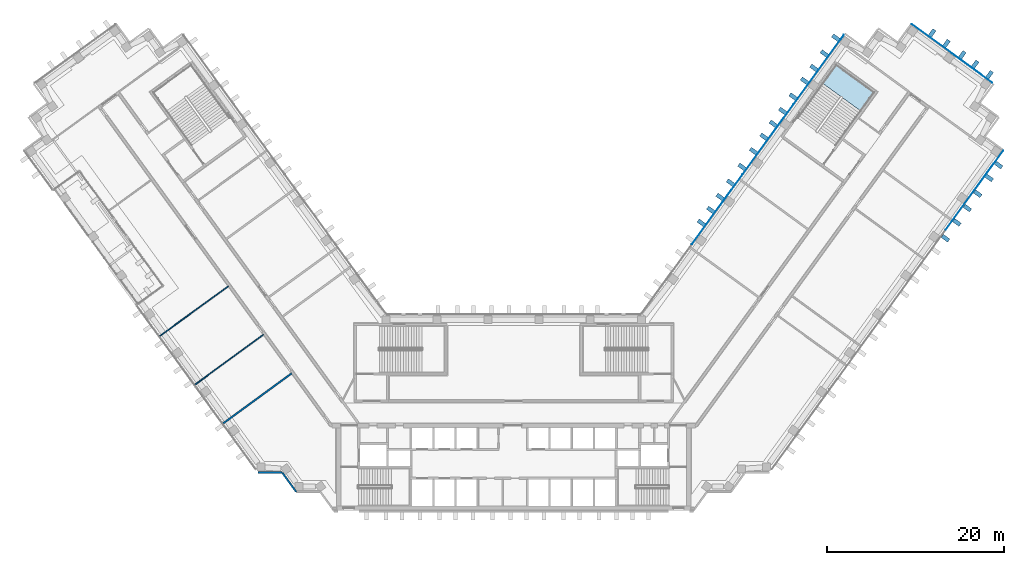
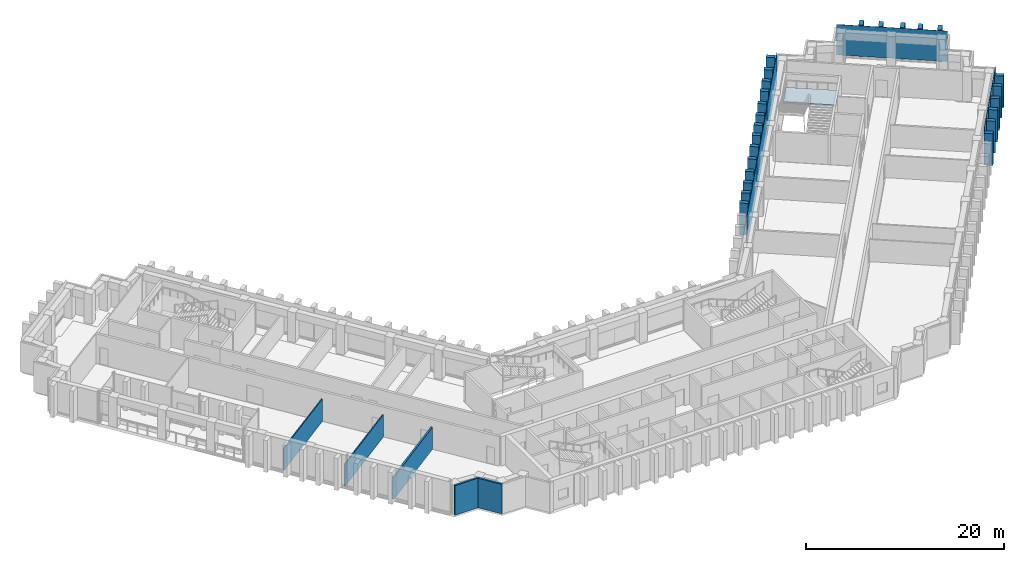
"""IFC4 building model written with IfcOpenShell, lengths in metres."""

from ifc_helpers import new_model, si_unit, direction, frame, frame_2d, origin, origin_2d, place, context, subcontext, project, spatial, polyline, rectangle, outline, extrude, material, layer, layer_set, type_object, element, aggregate, save


model = new_model("IFC4")

# Units and contexts
model_context = context("Model", 3, precision=1e-05, world=origin(), true_north=direction((0.0, 1.0)))
body_context = subcontext(model_context, "Body", "Model", "MODEL_VIEW")
ifc_project = project(units=[si_unit("LENGTHUNIT", "METRE"), si_unit("AREAUNIT", "SQUARE_METRE"), si_unit("VOLUMEUNIT", "CUBIC_METRE"), si_unit("PLANEANGLEUNIT", "RADIAN"), si_unit("MASSUNIT", "GRAM", prefix="KILO")], contexts=[model_context])

# Site, building, storey
site_placement = place(None, origin())
site = spatial("IfcSite", under=ifc_project, at=site_placement, CompositionType="ELEMENT")
building_placement = place(site_placement, origin())
building = spatial("IfcBuilding", under=site, at=building_placement, Name="Quipu Civic Tower", CompositionType="ELEMENT")
storey_1_placement = place(building_placement, frame((0.0, 0.0, 47.0)))
storey_1 = spatial("IfcBuildingStorey", under=building, at=storey_1_placement, Name="L10", CompositionType="ELEMENT", Elevation=47.0)

# Curtain wall
ifc_material_1 = material(Name="Insulated glass unit", Category="glass")
curtain_wall_type = type_object("IfcCurtainWallType", Name="Office curtain wall CW1", PredefinedType="NOTDEFINED", material=ifc_material_1)
curtain_wall_1_placement = place(storey_1_placement, origin())
curtain_wall_1 = element("IfcCurtainWall", 1, at=curtain_wall_1_placement, inside=storey_1, type_object=curtain_wall_type, Name="Office curtain wall CW1 L09 run 19", PredefinedType="NOTDEFINED")

# Storey
storey_2_placement = place(building_placement, frame((0.0, 0.0, 43.0)))
storey_2 = spatial("IfcBuildingStorey", under=building, at=storey_2_placement, Name="L09", CompositionType="ELEMENT", Elevation=43.0)

# Plate
ifc_material_2 = material(Name="Insulated glass unit", Category="glass")
ifc_layer_1 = layer(ifc_material_2, 0.028076171875)
ifc_layer_set_1 = layer_set([ifc_layer_1], Name="Insulated glass unit")
plate_type_1 = type_object("IfcPlateType", Name="Glass panel CW1", PredefinedType="CURTAIN_PANEL", material=ifc_layer_set_1)
plate_1_placement = place(storey_2_placement, frame((51.967529296875, 25.114990234375, 0.240234375), z_axis=(0.0, 0.0, 1.0), x_axis=(0.587785559869, 0.809016770908, 0.0)))
plate_1 = element("IfcPlate", 2, at=plate_1_placement, inside=storey_2, type_object=plate_type_1, Name="CW1 panel 4.1", PredefinedType="CURTAIN_PANEL", context=body_context, shape_type="SweptSolid", body=[
    extrude(rectangle(XDim=11.022705078125, YDim=0.028076171875, at=origin_2d()), origin(), (0.0, 0.0, 1.0), 3.760009765625),
])

aggregate(curtain_wall_1, [plate_1])

# Curtain wall, plate
curtain_wall_2_placement = place(storey_1_placement, origin())
curtain_wall_2 = element("IfcCurtainWall", 3, at=curtain_wall_2_placement, inside=storey_1, type_object=curtain_wall_type, Name="Office curtain wall CW1 L09 run 24", PredefinedType="NOTDEFINED")
plate_2_placement = place(storey_2_placement, frame((49.447998046875, 40.53173828125, 0.240234375), z_axis=(0.0, 0.0, 1.0), x_axis=(-0.809019348124, 0.587782012621, 0.0)))
plate_2 = element("IfcPlate", 4, at=plate_2_placement, inside=storey_2, type_object=plate_type_1, Name="CW1 panel 1.1", PredefinedType="CURTAIN_PANEL", context=body_context, shape_type="SweptSolid", body=[
    extrude(rectangle(XDim=11.239990234375, YDim=0.028076171875, at=origin_2d()), origin(), (0.0, 0.0, 1.0), 3.760009765625),
])
aggregate(curtain_wall_2, [plate_2])

# Curtain wall, plates
curtain_wall_3_placement = place(storey_1_placement, origin())
curtain_wall_3 = element("IfcCurtainWall", 5, at=curtain_wall_3_placement, inside=storey_1, type_object=curtain_wall_type, Name="Office curtain wall CW1 L09 run 29", PredefinedType="NOTDEFINED")
plate_3_placement = place(storey_2_placement, frame((34.413330078125, 38.722900390625, 0.240234375), z_axis=(0.0, 0.0, 1.0), x_axis=(-0.587785887566, -0.809016532822, 0.0)))
plate_3 = element("IfcPlate", 6, at=plate_3_placement, inside=storey_2, type_object=plate_type_1, Name="CW1 panel 1.1", PredefinedType="CURTAIN_PANEL", context=body_context, shape_type="SweptSolid", body=[
    extrude(rectangle(XDim=9.64111328125, YDim=0.028076171875, at=origin_2d()), origin(), (0.0, 0.0, 1.0), 3.760009765625),
])
plate_4_placement = place(storey_2_placement, frame((28.687744140625, 30.84228515625, 0.240234375), z_axis=(0.0, 0.0, 1.0), x_axis=(-0.587785887566, -0.809016532822, 0.0)))
plate_4 = element("IfcPlate", 7, at=plate_4_placement, inside=storey_2, type_object=plate_type_1, Name="CW1 panel 2.1", PredefinedType="CURTAIN_PANEL", context=body_context, shape_type="SweptSolid", body=[
    extrude(rectangle(XDim=9.68115234375, YDim=0.028076171875, at=origin_2d()), origin(), (0.0, 0.0, 1.0), 3.760009765625),
])
plate_5_placement = place(storey_2_placement, frame((22.950439453125, 22.9453125, 0.240234375), z_axis=(0.0, 0.0, 1.0), x_axis=(-0.587785887566, -0.809016532822, 0.0)))
plate_5 = element("IfcPlate", 8, at=plate_5_placement, inside=storey_2, type_object=plate_type_1, Name="CW1 panel 3.1", PredefinedType="CURTAIN_PANEL", context=body_context, shape_type="SweptSolid", body=[
    extrude(rectangle(XDim=9.68115234375, YDim=0.028076171875, at=origin_2d()), origin(), (0.0, 0.0, 1.0), 3.760009765625),
])
aggregate(curtain_wall_3, [plate_3, plate_4, plate_5])

# Plates
ifc_material_3 = material(Name="Precast concrete C40/50", Category="concrete")
plate_type_2 = type_object("IfcPlateType", Name="Precast fin F1", PredefinedType="SHEET", material=ifc_material_3)
for number, where, z_axis, x_axis, name in (
    (9, (48.70654296875, 19.69091796875, 0.080078125), (0.0, 0.0, 1.0), (0.587785716149, 0.809016657363, 0.0), "Precast fin F1 L09.19.17"),
    (10, (49.999755859375, 21.470703125, 0.080078125), (0.0, 0.0, 1.0), (0.587785716149, 0.809016657363, 0.0), "Precast fin F1 L09.19.18"),
    (11, (51.17529296875, 23.0888671875, 0.080078125), (0.0, 0.0, 1.0), (0.587785716149, 0.809016657363, 0.0), "Precast fin F1 L09.19.19"),
    (12, (52.350830078125, 24.706787109375, 0.080078125), (0.0, 0.0, 1.0), (0.587785716149, 0.809016657363, 0.0), "Precast fin F1 L09.19.20"),
    (13, (53.643798828125, 26.48681640625, 0.080078125), (0.0, 0.0, 1.0), (0.587785716149, 0.809016657363, 0.0), "Precast fin F1 L09.19.21"),
    (14, (54.701904296875, 27.94287109375, 0.080078125), (0.0, 0.0, 1.0), (0.587785716149, 0.809016657363, 0.0), "Precast fin F1 L09.19.22"),
    (15, (53.6748046875, 38.140625, 0.080078125), (0.0, 0.0, 1.0), (-0.809021318545, 0.587779300537, 0.0), "Precast fin F1 L09.24.1"),
    (16, (52.056884765625, 39.316162109375, 0.080078125), (0.0, 0.0, 1.0), (-0.809021318545, 0.587779300537, 0.0), "Precast fin F1 L09.24.2"),
    (17, (50.6005859375, 40.374267578125, 0.080078125), (0.0, 0.0, 1.0), (-0.809021318545, 0.587779300537, 0.0), "Precast fin F1 L09.24.3"),
    (18, (48.82080078125, 41.66748046875, 0.080078125), (0.0, 0.0, 1.0), (-0.809021318545, 0.587779300537, 0.0), "Precast fin F1 L09.24.4"),
    (19, (47.20263671875, 42.843017578125, 0.080078125), (0.0, 0.0, 1.0), (-0.809021318545, 0.587779300537, 0.0), "Precast fin F1 L09.24.5"),
    (20, (36.334716796875, 42.302978515625, 0.080078125), (0.0, 0.0, 1.0), (-0.587784944053, -0.809017218324, 0.0), "Precast fin F1 L09.29.1"),
    (21, (35.04150390625, 40.52294921875, 0.080078125), (0.0, 0.0, 1.0), (-0.587784944053, -0.809017218324, 0.0), "Precast fin F1 L09.29.2"),
    (22, (33.865966796875, 38.905029296875, 0.080078125), (0.0, 0.0, 1.0), (-0.587784944053, -0.809017218324, 0.0), "Precast fin F1 L09.29.3"),
    (23, (32.807861328125, 37.44873046875, 0.080078125), (0.0, 0.0, 1.0), (-0.587784944053, -0.809017218324, 0.0), "Precast fin F1 L09.29.4"),
    (24, (31.5146484375, 35.6689453125, 0.080078125), (0.0, 0.0, 1.0), (-0.587784944053, -0.809017218324, 0.0), "Precast fin F1 L09.29.5"),
    (25, (30.339111328125, 34.05078125, 0.080078125), (0.0, 0.0, 1.0), (-0.587784944053, -0.809017218324, 0.0), "Precast fin F1 L09.29.6"),
    (26, (29.28125, 32.5947265625, 0.080078125), (0.0, 0.0, 1.0), (-0.587784944053, -0.809017218324, 0.0), "Precast fin F1 L09.29.7"),
    (27, (28.22314453125, 31.138427734375, 0.080078125), (0.0, 0.0, 1.0), (-0.587784944053, -0.809017218324, 0.0), "Precast fin F1 L09.29.8"),
    (28, (27.047607421875, 29.5205078125, 0.080078125), (0.0, 0.0, 1.0), (-0.587784944053, -0.809017218324, 0.0), "Precast fin F1 L09.29.9"),
    (29, (25.75439453125, 27.740478515625, 0.080078125), (0.0, 0.0, 1.0), (-0.587784944053, -0.809017218324, 0.0), "Precast fin F1 L09.29.10"),
    (30, (24.46142578125, 25.960693359375, 0.080078125), (0.0, 0.0, 1.0), (-0.587784944053, -0.809017218324, 0.0), "Precast fin F1 L09.29.11"),
    (31, (23.285888671875, 24.3427734375, 0.080078125), (0.0, 0.0, 1.0), (-0.587784944053, -0.809017218324, 0.0), "Precast fin F1 L09.29.12"),
    (32, (22.227783203125, 22.886474609375, 0.080078125), (0.0, 0.0, 1.0), (-0.587784944053, -0.809017218324, 0.0), "Precast fin F1 L09.29.13"),
    (33, (21.169677734375, 21.43017578125, 0.080078125), (0.0, 0.0, 1.0), (-0.587784944053, -0.809017218324, 0.0), "Precast fin F1 L09.29.14"),
):
    element("IfcPlate", number, at=place(storey_2_placement, frame(where, z_axis=z_axis, x_axis=x_axis)), inside=storey_2, type_object=plate_type_2, Name=name, PredefinedType="SHEET", context=body_context, shape_type="SweptSolid", body=[
        extrude(rectangle(XDim=0.449951171875, YDim=0.89990234375, at=origin_2d()), origin(), (0.0, 0.0, 1.0), 3.919921875),
    ])

# Stair, slab
ifc_material_4 = material(Name="Concrete C40/50", Category="concrete")
stair_type = type_object("IfcStairType", Name="Half turn stair 2600", PredefinedType="HALF_TURN_STAIR", material=ifc_material_4)
stair_placement = place(storey_2_placement, origin())
stair = element("IfcStair", 34, at=stair_placement, inside=storey_2, type_object=stair_type, Name="Exit stair 7", PredefinedType="HALF_TURN_STAIR")
ifc_material_5 = material(Name="Concrete C40/50", Category="concrete")
ifc_layer_2 = layer(ifc_material_5, 0.199951171875)
ifc_layer_set_2 = layer_set([ifc_layer_2], Name="Concrete C40/50")
slab_type = type_object("IfcSlabType", Name="Stair landing 200", PredefinedType="LANDING", material=ifc_layer_set_2)
slab_placement = place(storey_2_placement, frame((0.0, 0.0, 1.800048828125)))
slab = element("IfcSlab", 35, at=slab_placement, type_object=slab_type, Name="ST-7 landing 1", PredefinedType="LANDING", context=body_context, shape_type="SweptSolid", body=[
    extrude(outline(polyline([(39.16552734375, 34.034912109375), (40.69384765625, 36.138427734375), (36.365478515625, 39.282958984375), (34.837158203125, 37.179443359375), (39.16552734375, 34.034912109375)])), origin(), (0.0, 0.0, 1.0), 0.199951171875),
])
aggregate(stair, [slab])

# Walls
ifc_material_6 = material(Name="Fired clay blockwork", Category="masonry")
ifc_layer_3 = layer(ifc_material_6, 0.199951171875)
ifc_layer_set_3 = layer_set([ifc_layer_3], Name="Fired clay blockwork")
wall_type_1 = type_object("IfcWallType", Name="Blockwork wall 200", PredefinedType="SOLIDWALL", material=ifc_layer_set_3)
wall_1_placement = place(storey_2_placement, frame((-32.826171875, -1.232421875, 0.0), z_axis=(0.0, 0.0, 1.0), x_axis=(0.807602415854, 0.589727342004, 0.0)))
element("IfcWall", 36, at=wall_1_placement, inside=storey_2, type_object=wall_type_1, Name="Partition P16", PredefinedType="SOLIDWALL", context=body_context, shape_type="SweptSolid", body=[
    extrude(rectangle(XDim=9.6513671875, YDim=0.199951171875, at=frame_2d((4.82568359375, 0.0))), origin(), (0.0, 0.0, 1.0), 2.75),
])
ifc_material_7 = material(Name="Gypsum plasterboard on light gauge framing")
ifc_layer_4 = layer(ifc_material_7, 0.1201171875)
ifc_layer_set_4 = layer_set([ifc_layer_4], Name="Gypsum plasterboard on light gauge framing")
wall_type_2 = type_object("IfcWallType", Name="Partition 120 plasterboard", PredefinedType="PARTITIONING", material=ifc_layer_set_4)
wall_2_placement = place(storey_2_placement, frame((-39.89990234375, 8.675537109375, 0.0), z_axis=(0.0, 0.0, 1.0), x_axis=(0.809055468448, 0.587732293628, 0.0)))
element("IfcWall", 37, at=wall_2_placement, inside=storey_2, type_object=wall_type_2, Name="Partition P04", PredefinedType="PARTITIONING", context=body_context, shape_type="SweptSolid", body=[
    extrude(rectangle(XDim=9.549560546875, YDim=0.1201171875, at=frame_2d((4.77490234375, 0.0))), origin(), (0.0, 0.0, 1.0), 2.75),
])
wall_3_placement = place(storey_2_placement, frame((-35.919189453125, 3.196533203125, 0.0), z_axis=(0.0, 0.0, 1.0), x_axis=(0.807645841498, 0.589667868135, 0.0)))
element("IfcWall", 38, at=wall_3_placement, inside=storey_2, type_object=wall_type_2, Name="Partition P10", PredefinedType="PARTITIONING", context=body_context, shape_type="SweptSolid", body=[
    extrude(rectangle(XDim=9.550537109375, YDim=0.1201171875, at=frame_2d((4.775390625, 0.0))), origin(), (0.0, 0.0, 1.0), 2.75),
])
ifc_material_8 = material(Name="Precast concrete C40/50", Category="concrete")
wall_type_3 = type_object("IfcWallType", Name="Precast cladding wall", PredefinedType="SOLIDWALL", material=ifc_material_8)
wall_4_placement = place(storey_2_placement, frame((-28.829833984375, -6.71923828125, 0.0), z_axis=(0.0, 0.0, 1.0), x_axis=(1.0, 0.0, 0.0)))
element("IfcWall", 39, at=wall_4_placement, inside=storey_2, type_object=wall_type_3, Name="Precast cladding wall L09 8", PredefinedType="SOLIDWALL", context=body_context, shape_type="SweptSolid", body=[
    extrude(rectangle(XDim=2.699951171875, YDim=0.199951171875, at=frame_2d((1.35009765625, 0.0))), origin(), (0.0, 0.0, 1.0), 3.64990234375),
])
wall_5_placement = place(storey_2_placement, frame((-26.1201171875, -6.72412109375, 0.0), z_axis=(0.0, 0.0, 1.0), x_axis=(0.587720002413, -0.809064397168, 0.0)))
element("IfcWall", 40, at=wall_5_placement, inside=storey_2, type_object=wall_type_3, Name="Precast cladding wall L09 9", PredefinedType="SOLIDWALL", context=body_context, shape_type="SweptSolid", body=[
    extrude(rectangle(XDim=2.7001953125, YDim=0.199951171875, at=frame_2d((1.35009765625, 0.0))), origin(), (0.0, 0.0, 1.0), 3.64990234375),
])

save(model, "model.ifc")
